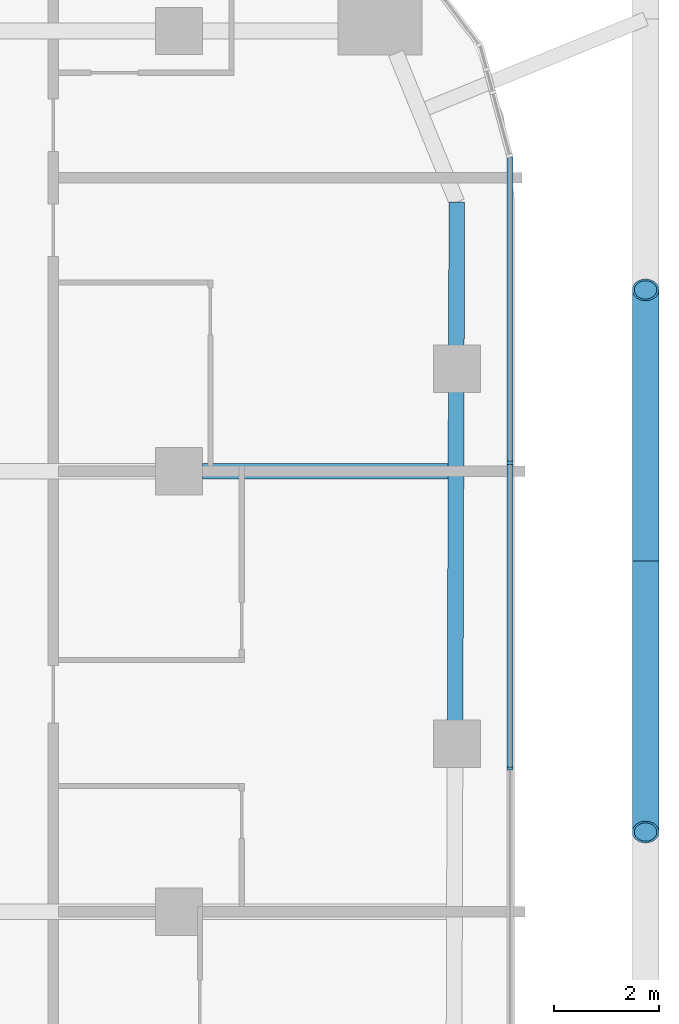
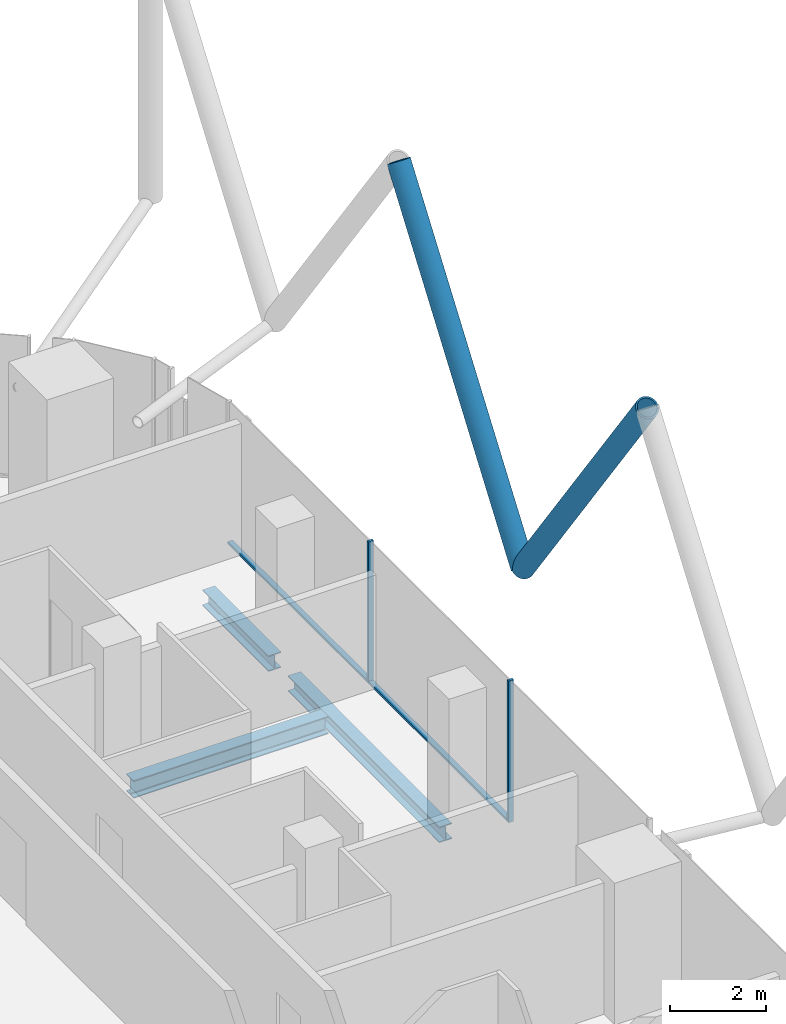
# One storey, part 13 of 36: 6 members, 3 beams, 1 element without a shape of its own.
"""IFC4 building model written with IfcOpenShell, lengths in metres."""

from ifc_helpers import new_model, si_unit, direction, frame, origin, origin_2d, place, context, subcontext, project, spatial, rectangle, hollow_circle, i_section, extrude, material, layer, layer_set, material_profile, profile_set, type_object, element, aggregate, save


model = new_model("IFC4")

# Units and contexts
model_context = context("Model", 3, precision=1e-05, world=origin(), true_north=direction((0.0, 1.0)))
body_context = subcontext(model_context, "Body", "Model", "MODEL_VIEW")
ifc_project = project(units=[si_unit("LENGTHUNIT", "METRE"), si_unit("AREAUNIT", "SQUARE_METRE"), si_unit("VOLUMEUNIT", "CUBIC_METRE"), si_unit("PLANEANGLEUNIT", "RADIAN"), si_unit("MASSUNIT", "GRAM", prefix="KILO")], contexts=[model_context])

# Site, building, storey
site_placement = place(None, origin())
site = spatial("IfcSite", under=ifc_project, at=site_placement, CompositionType="ELEMENT")
building_placement = place(site_placement, origin())
building = spatial("IfcBuilding", under=site, at=building_placement, Name="Marenta Gate Hotel Tower", CompositionType="ELEMENT")
storey_placement = place(building_placement, frame((0.0, 0.0, 115.699951171875)))
storey = spatial("IfcBuildingStorey", under=building, at=storey_placement, Name="L25", CompositionType="ELEMENT", Elevation=115.699951171875)

# Members
ifc_material_1 = material(Name="Steel S355J2W", Category="steel")
ifc_material_profile_1 = material_profile(ifc_material_1, hollow_circle(Radius=0.25390625, WallThickness=0.0400390625, at=origin_2d()), Name="CHS 508x40")
ifc_profile_set_1 = profile_set([ifc_material_profile_1], Name="Steel S355J2W")
member_type_1 = type_object("IfcMemberType", Name="Diagrid diagonal Z2 CHS 508x40", PredefinedType="BRACE", material=ifc_profile_set_1)
member_1_placement = place(storey_placement, frame((29.89990234375, 15.090087890625, 3.14013671875), z_axis=(0.0, 0.583260841117, 0.812284919975), x_axis=(-1.0, 0.0, 0.0)))
element("IfcMember", 1, at=member_1_placement, inside=storey, type_object=member_type_1, Name="L25-DG-3", PredefinedType="BRACE", context=body_context, shape_type="SweptSolid", body=[
    extrude(hollow_circle(Radius=0.25390625, WallThickness=0.0400390625, at=origin_2d()), origin(), (0.0, 0.0, 1.0), 8.86376953125),
])
member_2_placement = place(storey_placement, frame((29.89990234375, 15.090087890625, 3.14013671875), z_axis=(0.0, -0.583279014058, 0.812271870595), x_axis=(1.0, 0.0, 0.0)))
element("IfcMember", 2, at=member_2_placement, inside=storey, type_object=member_type_1, Name="L25-DG-4", PredefinedType="BRACE", context=body_context, shape_type="SweptSolid", body=[
    extrude(hollow_circle(Radius=0.25390625, WallThickness=0.0400390625, at=origin_2d()), origin(), (0.0, 0.0, 1.0), 8.864013671875),
])

# Beams
ifc_material_2 = material(Name="Steel S355", Category="steel")
ifc_material_profile_2 = material_profile(ifc_material_2, i_section(OverallWidth=0.300048828125, OverallDepth=0.39990234375, WebThickness=0.013427734375, FlangeThickness=0.02392578125, FilletRadius=0.027099609375, at=origin_2d()), Name="HEB 400")
ifc_profile_set_2 = profile_set([ifc_material_profile_2], Name="Steel S355")
beam_type_1 = type_object("IfcBeamType", Name="Edge beam HEB 400", PredefinedType="SPANDREL", material=ifc_profile_set_2)
beam_1_placement = place(storey_placement, frame((26.300048828125, 21.9345703125, -0.4599609375), z_axis=(-0.003351542298, -0.999994383566, 0.0), x_axis=(0.999994383566, -0.003351542298, 0.0)))
element("IfcBeam", 3, at=beam_1_placement, inside=storey, type_object=beam_type_1, Name="L25-EB-22", PredefinedType="SPANDREL", context=body_context, shape_type="SweptSolid", body=[
    extrude(i_section(OverallWidth=0.300048828125, OverallDepth=0.39990234375, WebThickness=0.013427734375, FlangeThickness=0.02392578125, FilletRadius=0.027099609375, at=origin_2d()), origin(), (0.0, 0.0, 1.0), 2.76806640625),
])
beam_2_placement = place(storey_placement, frame((26.2880859375, 18.346435546875, -0.4599609375), z_axis=(-0.00335374545, -0.99999437618, 0.0), x_axis=(0.99999437618, -0.00335374545, 0.0)))
element("IfcBeam", 4, at=beam_2_placement, inside=storey, type_object=beam_type_1, Name="L25-EB-23", PredefinedType="SPANDREL", context=body_context, shape_type="SweptSolid", body=[
    extrude(i_section(OverallWidth=0.300048828125, OverallDepth=0.39990234375, WebThickness=0.013427734375, FlangeThickness=0.02392578125, FilletRadius=0.027099609375, at=origin_2d()), origin(), (0.0, 0.0, 1.0), 6.333251953125),
])
ifc_material_3 = material(Name="Steel S355", Category="steel")
ifc_material_profile_3 = material_profile(ifc_material_3, i_section(OverallWidth=0.300048828125, OverallDepth=0.449951171875, WebThickness=0.013916015625, FlangeThickness=0.02587890625, FilletRadius=0.027099609375, at=origin_2d()), Name="HEB 450")
ifc_profile_set_3 = profile_set([ifc_material_profile_3], Name="Steel S355")
beam_type_2 = type_object("IfcBeamType", Name="Girder HEB 450", PredefinedType="BEAM", material=ifc_profile_set_3)
beam_3_placement = place(storey_placement, frame((21.449951171875, 16.800048828125, -0.48486328125), z_axis=(1.0, 0.0, 0.0), x_axis=(0.0, 1.0, 0.0)))
element("IfcBeam", 5, at=beam_3_placement, inside=storey, type_object=beam_type_2, Name="L25-GD-28", PredefinedType="BEAM", context=body_context, shape_type="SweptSolid", body=[
    extrude(i_section(OverallWidth=0.300048828125, OverallDepth=0.449951171875, WebThickness=0.013916015625, FlangeThickness=0.02587890625, FilletRadius=0.027099609375, at=origin_2d()), origin(), (0.0, 0.0, 1.0), 4.682861328125),
])

# Curtain wall, members
ifc_material_4 = material(Name="Tinted insulated glass in bronze anodised frame", Category="glass")
ifc_layer = layer(ifc_material_4, 0.1201171875)
ifc_layer_set = layer_set([ifc_layer], Name="Tinted insulated glass in bronze anodised frame")
curtain_wall_type = type_object("IfcCurtainWallType", Name="Tower unitised curtain wall CW1", PredefinedType="NOTDEFINED", material=ifc_layer_set)
curtain_wall_placement = place(storey_placement, origin())
curtain_wall = element("IfcCurtainWall", 6, at=curtain_wall_placement, inside=storey, type_object=curtain_wall_type, Name="CW1 run G35", PredefinedType="NOTDEFINED")
ifc_material_5 = material(Name="Bronze anodised aluminium", Category="aluminium")
ifc_material_profile_4 = material_profile(ifc_material_5, rectangle(XDim=0.1201171875, YDim=0.06005859375, at=origin_2d()), Name="Mullion CW1 60x120 bronze anodised aluminium")
ifc_profile_set_4 = profile_set([ifc_material_profile_4], Name="Bronze anodised aluminium")
member_type_2 = type_object("IfcMemberType", Name="Mullion CW1 60x120 bronze anodised aluminium", PredefinedType="MULLION", material=ifc_profile_set_4)
member_3_placement = place(storey_placement, frame((27.31396484375, 11.133056640625, 0.0), z_axis=(0.0, 0.0, 1.0), x_axis=(-1.0, 0.0, 0.0)))
member_3 = element("IfcMember", 7, at=member_3_placement, type_object=member_type_2, Name="CW1 mullion 2", PredefinedType="MULLION", context=body_context, shape_type="SweptSolid", body=[
    extrude(rectangle(XDim=0.1201171875, YDim=0.06005859375, at=origin_2d()), origin(), (0.0, 0.0, 1.0), 3.60009765625),
])
member_4_placement = place(storey_placement, frame((27.31396484375, 16.96240234375, 0.0), z_axis=(0.0, 0.0, 1.0), x_axis=(-1.0, 0.0, 0.0)))
member_4 = element("IfcMember", 8, at=member_4_placement, type_object=member_type_2, Name="CW1 mullion 3", PredefinedType="MULLION", context=body_context, shape_type="SweptSolid", body=[
    extrude(rectangle(XDim=0.1201171875, YDim=0.06005859375, at=origin_2d()), origin(), (0.0, 0.0, 1.0), 3.60009765625),
])
ifc_material_6 = material(Name="Bronze anodised aluminium", Category="aluminium")
ifc_material_profile_5 = material_profile(ifc_material_6, rectangle(XDim=0.1201171875, YDim=0.06005859375, at=origin_2d()), Name="Transom CW1 60x120 bronze anodised aluminium")
ifc_profile_set_5 = profile_set([ifc_material_profile_5], Name="Bronze anodised aluminium")
member_type_3 = type_object("IfcMemberType", Name="Transom CW1 60x120 bronze anodised aluminium", PredefinedType="USERDEFINED", material=ifc_profile_set_5)
member_5_placement = place(storey_placement, frame((27.31396484375, 11.1630859375, 0.030029296875), z_axis=(0.0, 1.0, 0.0), x_axis=(-1.0, 0.0, 0.0)))
member_5 = element("IfcMember", 9, at=member_5_placement, type_object=member_type_3, Name="CW1 transom 2.1", ObjectType="TRANSOM", PredefinedType="USERDEFINED", context=body_context, shape_type="SweptSolid", body=[
    extrude(rectangle(XDim=0.1201171875, YDim=0.06005859375, at=origin_2d()), origin(), (0.0, 0.0, 1.0), 5.76953125),
])
member_6_placement = place(storey_placement, frame((27.31396484375, 16.992431640625, 0.030029296875), z_axis=(0.0, 1.0, 0.0), x_axis=(-1.0, 0.0, 0.0)))
member_6 = element("IfcMember", 10, at=member_6_placement, type_object=member_type_3, Name="CW1 transom 3.1", ObjectType="TRANSOM", PredefinedType="USERDEFINED", context=body_context, shape_type="SweptSolid", body=[
    extrude(rectangle(XDim=0.1201171875, YDim=0.06005859375, at=origin_2d()), origin(), (0.0, 0.0, 1.0), 5.799560546875),
])
aggregate(curtain_wall, [member_3, member_4, member_5, member_6])

save(model, "model.ifc")
